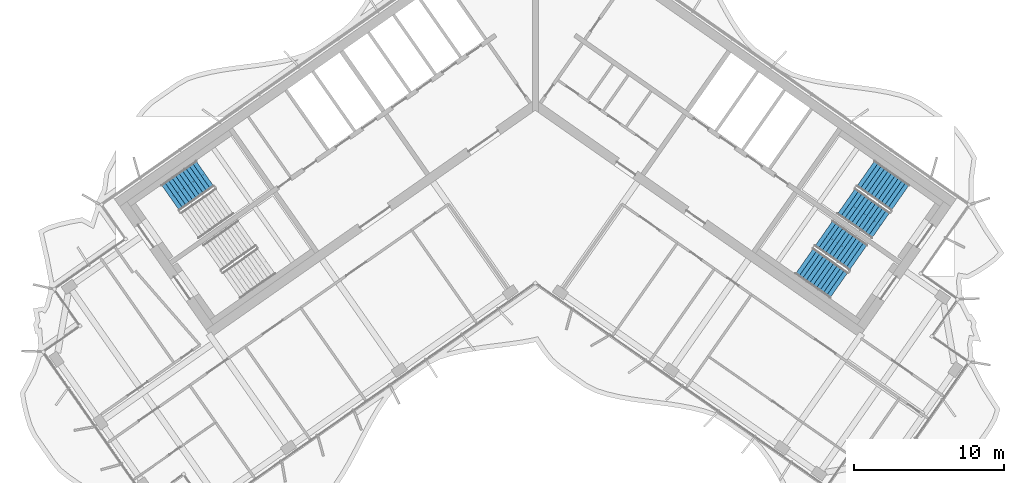
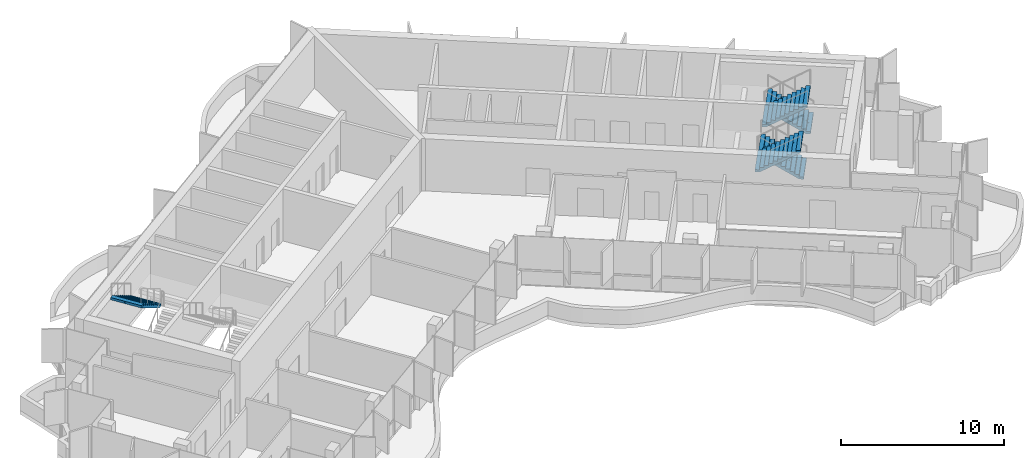
# One storey, part 12 of 17: 5 stair flights, 3 elements without a shape of their own.
"""IFC4 building model written with IfcOpenShell, lengths in metres."""

import ifcopenshell
import ifcopenshell.guid

model = None  # the IFC model being written
_history = None  # IfcOwnerHistory: only IFC2X3 demands one
_inside = {}  # id of a spatial element -> (the spatial element, [elements in it])
_under = {}  # id of a project, library or spatial element -> (it, [spatial elements below it])
_declared = {}  # id of a project -> (the project, [libraries it declares])
_typed = {}  # id of a type object -> (the type object, [elements of that type])
_made_of = {}  # id of a material, layer set ... -> (it, [elements and type objects made of it])


def new_model(schema):
    """Start an empty IFC model of exactly this schema.

    Asked for "IFC4X3", IfcOpenShell would pick the latest addendum, in which some entities
    have other attributes; the version numbers below select the first issue.
    IFC2X3 requires an IfcOwnerHistory on every rooted entity: one is made here for all.
    """
    global model, _history
    if schema == "IFC4X3":
        model = ifcopenshell.file(schema_version=(4, 3, 0, 0))
    else:
        model = ifcopenshell.file(schema=schema)
    _inside.clear()
    _under.clear()
    _declared.clear()
    _typed.clear()
    _made_of.clear()
    _history = None
    if model.schema == "IFC2X3":
        org = make("IfcOrganization", Name="unknown")
        user = make(
            "IfcPersonAndOrganization",
            ThePerson=make("IfcPerson", FamilyName="unknown"),
            TheOrganization=org,
        )
        app = make(
            "IfcApplication",
            ApplicationDeveloper=org,
            Version="unknown",
            ApplicationFullName="unknown",
            ApplicationIdentifier="unknown",
        )
        _history = make(
            "IfcOwnerHistory",
            OwningUser=user,
            OwningApplication=app,
            ChangeAction="ADDED",
            CreationDate=0,
        )
    return model


def make(cls, **values):
    """One entity of the class cls with the attributes given. An attribute that is None is left unset."""
    return model.create_entity(
        cls, **{name: value for name, value in values.items() if value is not None}
    )


def rooted(cls, **values):
    """An entity with a GlobalId (a new one), such as an element, a storey or a relation."""
    return make(cls, GlobalId=ifcopenshell.guid.new(), OwnerHistory=_history, **values)


def si_unit(unit_type, name, prefix=None):
    """IfcSIUnit, for example si_unit("LENGTHUNIT", "METRE", prefix="MILLI")."""
    return make("IfcSIUnit", UnitType=unit_type, Prefix=prefix, Name=name)


def assignment(units):
    """IfcUnitAssignment: the units of a project."""
    return None if units is None else make("IfcUnitAssignment", Units=units)


def point(xyz):
    """IfcCartesianPoint."""
    return None if xyz is None else make("IfcCartesianPoint", Coordinates=xyz)


def direction(xyz):
    """IfcDirection."""
    return None if xyz is None else make("IfcDirection", DirectionRatios=xyz)


def frame(location, z_axis=None, x_axis=None):
    """IfcAxis2Placement3D, a coordinate frame: its origin and axes. An axis left out is left unset."""
    return make(
        "IfcAxis2Placement3D",
        Location=point(location),
        Axis=direction(z_axis),
        RefDirection=direction(x_axis),
    )


def origin():
    """The frame at (0, 0, 0) with its axes left unset."""
    return frame((0.0, 0.0, 0.0))


def place(relative_to, where):
    """IfcLocalPlacement: puts the frame where relative to a parent placement (None: the world)."""
    return make(
        "IfcLocalPlacement", PlacementRelTo=relative_to, RelativePlacement=where
    )


def context(
    kind, dimensions, precision=None, world=None, true_north=None, identifier=None
):
    """IfcGeometricRepresentationContext, for example the 3D "Model" context."""
    return make(
        "IfcGeometricRepresentationContext",
        ContextIdentifier=identifier,
        ContextType=kind,
        CoordinateSpaceDimension=dimensions,
        Precision=precision,
        WorldCoordinateSystem=world,
        TrueNorth=true_north,
    )


def subcontext(parent, identifier, kind, view, scale=None):
    """IfcGeometricRepresentationSubContext, for example "Body" below "Model"."""
    return make(
        "IfcGeometricRepresentationSubContext",
        ContextIdentifier=identifier,
        ContextType=kind,
        ParentContext=parent,
        TargetScale=scale,
        TargetView=view,
    )


def project(units=None, contexts=None):
    """IfcProject with its units and contexts."""
    return rooted(
        "IfcProject",
        Name="project",
        RepresentationContexts=contexts,
        UnitsInContext=assignment(units),
    )


def spatial(cls, under=None, at=None, **own):
    """A site, building, storey or space (cls), placed at a placement, below another one or the project."""
    s = rooted(cls, ObjectPlacement=at, **own)
    if under is not None:
        _under.setdefault(under.id(), (under, []))[1].append(s)
    return s


def polyline(points):
    """IfcPolyline through the points."""
    return make("IfcPolyline", Points=[point(p) for p in points])


def outline(outer, holes=None, kind="AREA"):
    """IfcArbitraryClosedProfileDef: a profile drawn as a closed curve; with holes, ...WithVoids."""
    if holes is None:
        return make("IfcArbitraryClosedProfileDef", ProfileType=kind, OuterCurve=outer)
    return make(
        "IfcArbitraryProfileDefWithVoids",
        ProfileType=kind,
        OuterCurve=outer,
        InnerCurves=holes,
    )


def extrude(swept, where, along, depth):
    """IfcExtrudedAreaSolid: the profile swept, set in the frame where, extruded along a direction by depth."""
    return make(
        "IfcExtrudedAreaSolid",
        SweptArea=swept,
        Position=where,
        ExtrudedDirection=direction(along),
        Depth=depth,
    )


def shape(context_of_items, identifier, shape_type, items):
    """IfcShapeRepresentation: the items that make up one representation, for example the "Body"."""
    return make(
        "IfcShapeRepresentation",
        ContextOfItems=context_of_items,
        RepresentationIdentifier=identifier,
        RepresentationType=shape_type,
        Items=items,
    )


def material(Name=None, Category=None):
    """IfcMaterial."""
    return make("IfcMaterial", Name=Name, Category=Category)


def made_of(thing, what):
    """Note that an element or type object is made of a material, layer set ...; save() writes the relation."""
    if what is not None:
        _made_of.setdefault(what.id(), (what, []))[1].append(thing)
    return thing


def type_object(cls, material=None, **own):
    """A type object (cls), such as IfcWallType, which elements share."""
    return made_of(rooted(cls, **own), material)


def element(
    cls,
    number,
    at=None,
    inside=None,
    cuts=None,
    type_object=None,
    material=None,
    context=None,
    identifier="Body",
    shape_type=None,
    held_by="IfcProductDefinitionShape",
    body=None,
    shapes=None,
    **own,
):
    """One element of the class cls, such as IfcWall. Its Tag is "e" and its number.

    at: its placement. inside: the storey or other place that contains it. cuts: it is an
    opening in that element (IfcRelVoidsElement). A single representation is given by context,
    identifier, shape_type and body (its items); several are given by shapes. held_by: the class
    of the entity that holds the representations. save() writes the other relations.
    """
    e = rooted(cls, Tag="e%d" % number, ObjectPlacement=at, **own)
    if body is not None:
        shapes = [shape(context, identifier, shape_type, body)]
    if shapes is not None:
        e.Representation = make(held_by, Representations=shapes)
    if inside is not None:
        _inside.setdefault(inside.id(), (inside, []))[1].append(e)
    if cuts is not None:
        rooted(
            "IfcRelVoidsElement", RelatingBuildingElement=cuts, RelatedOpeningElement=e
        )
    if type_object is not None:
        _typed.setdefault(type_object.id(), (type_object, []))[1].append(e)
    return made_of(e, material)


def aggregate(whole, parts):
    """IfcRelAggregates: a whole, such as a stair, and the parts it consists of."""
    return rooted("IfcRelAggregates", RelatingObject=whole, RelatedObjects=parts)


def save(model, path):
    """Write the relations noted so far, then the file.

    IfcRelAggregates (storeys below a building ...), IfcRelContainedInSpatialStructure (elements
    in a storey), IfcRelDefinesByType, IfcRelAssociatesMaterial and IfcRelDeclares: one each for
    every whole, place, type object, material and project.
    """
    for whole, parts in _under.values():
        aggregate(whole, parts)
    for where, things in _inside.values():
        rooted(
            "IfcRelContainedInSpatialStructure",
            RelatedElements=things,
            RelatingStructure=where,
        )
    for kind, things in _typed.values():
        rooted("IfcRelDefinesByType", RelatedObjects=things, RelatingType=kind)
    for what, things in _made_of.values():
        rooted("IfcRelAssociatesMaterial", RelatedObjects=things, RelatingMaterial=what)
    for by, libraries in _declared.values():
        rooted("IfcRelDeclares", RelatingContext=by, RelatedDefinitions=libraries)
    model.write(path)


model = new_model("IFC4")

# Units and contexts
model_context = context("Model", 3, precision=1e-05, world=origin(), true_north=direction((0.0, 1.0)))
body_context = subcontext(model_context, "Body", "Model", "MODEL_VIEW")
ifc_project = project(units=[si_unit("LENGTHUNIT", "METRE"), si_unit("AREAUNIT", "SQUARE_METRE"), si_unit("VOLUMEUNIT", "CUBIC_METRE"), si_unit("PLANEANGLEUNIT", "RADIAN"), si_unit("MASSUNIT", "GRAM", prefix="KILO")], contexts=[model_context])

# Site, building, storey
site_placement = place(None, origin())
site = spatial("IfcSite", under=ifc_project, at=site_placement, CompositionType="ELEMENT")
building_placement = place(site_placement, origin())
building = spatial("IfcBuilding", under=site, at=building_placement, Name="Tel Ilan Convention Tower", CompositionType="ELEMENT")
storey_placement = place(building_placement, frame((0.0, 0.0, 276.10009765625)))
storey = spatial("IfcBuildingStorey", under=building, at=storey_placement, Name="L65", CompositionType="ELEMENT", Elevation=276.10009765625)

# Stair, stair flight
ifc_material_1 = material(Name="Concrete C40/50", Category="concrete")
stair_type = type_object("IfcStairType", Name="Pressurised Exit Stair 22 risers 177 mm", PredefinedType="HALF_TURN_STAIR", material=ifc_material_1)
stair_1_placement = place(storey_placement, origin())
stair_1 = element("IfcStair", 1, at=stair_1_placement, inside=storey, type_object=stair_type, Name="L65 Pressurised Stair S1", PredefinedType="HALF_TURN_STAIR")
ifc_material_2 = material(Name="Precast Concrete C40/50", Category="concrete")
stair_flight_type = type_object("IfcStairFlightType", Name="Concrete Stair Flight 2100 mm 22 risers 177 mm", PredefinedType="STRAIGHT", material=ifc_material_2)
stair_flight_1_placement = place(storey_placement, frame((-21.958740234375, -5.42626953125, 1.949951171875), z_axis=(0.0, 0.0, 1.0), x_axis=(-0.819152044289, -0.573576436351, 0.0)))
stair_flight_1 = element("IfcStairFlight", 2, at=stair_flight_1_placement, type_object=stair_flight_type, Name="S1 flight 2", NumberOfRisers=11, NumberOfTreads=10, PredefinedType="STRAIGHT", RiserHeight=0.177272727, TreadLength=0.28, context=body_context, shape_type="SweptSolid", body=[
    extrude(outline(polyline([(0.0, 0.0), (0.0, 0.17724609375), (0.280029296875, 0.17724609375), (0.280029296875, 0.3544921875), (0.56005859375, 0.3544921875), (0.56005859375, 0.53173828125), (0.840087890625, 0.53173828125), (0.840087890625, 0.708984375), (1.1201171875, 0.708984375), (1.1201171875, 0.886474609375), (1.39990234375, 0.886474609375), (1.39990234375, 1.063720703125), (1.679931640625, 1.063720703125), (1.679931640625, 1.240966796875), (1.9599609375, 1.240966796875), (1.9599609375, 1.418212890625), (2.239990234375, 1.418212890625), (2.239990234375, 1.595458984375), (2.52001953125, 1.595458984375), (2.52001953125, 1.772705078125), (2.800048828125, 1.772705078125), (2.800048828125, 1.949951171875), (2.800048828125, 1.59521484375), (0.2802734375, 0.0), (0.0, 0.0)])), frame((0.0, -0.100341796875, 0.0), z_axis=(0.0, -1.0, 0.0), x_axis=(1.0, 0.0, 0.0)), (0.0, 0.0, 1.0), 0.94970703125),
    extrude(outline(polyline([(0.0, 0.0), (0.0, 0.17724609375), (0.280029296875, 0.17724609375), (0.280029296875, 0.3544921875), (0.56005859375, 0.3544921875), (0.56005859375, 0.53173828125), (0.840087890625, 0.53173828125), (0.840087890625, 0.708984375), (1.1201171875, 0.708984375), (1.1201171875, 0.886474609375), (1.39990234375, 0.886474609375), (1.39990234375, 1.063720703125), (1.679931640625, 1.063720703125), (1.679931640625, 1.240966796875), (1.9599609375, 1.240966796875), (1.9599609375, 1.418212890625), (2.239990234375, 1.418212890625), (2.239990234375, 1.595458984375), (2.52001953125, 1.595458984375), (2.52001953125, 1.772705078125), (2.800048828125, 1.772705078125), (2.800048828125, 1.949951171875), (2.800048828125, 1.59521484375), (0.2802734375, 0.0), (0.0, 0.0)])), frame((0.0, -0.000244140625, 0.0), z_axis=(0.0, -1.0, 0.0), x_axis=(1.0, 0.0, 0.0)), (0.0, 0.0, 1.0), 0.099609375),
    extrude(outline(polyline([(0.0, 0.0), (0.0, 0.17724609375), (0.280029296875, 0.17724609375), (0.280029296875, 0.3544921875), (0.56005859375, 0.3544921875), (0.56005859375, 0.53173828125), (0.840087890625, 0.53173828125), (0.840087890625, 0.708984375), (1.1201171875, 0.708984375), (1.1201171875, 0.886474609375), (1.39990234375, 0.886474609375), (1.39990234375, 1.063720703125), (1.679931640625, 1.063720703125), (1.679931640625, 1.240966796875), (1.9599609375, 1.240966796875), (1.9599609375, 1.418212890625), (2.239990234375, 1.418212890625), (2.239990234375, 1.595458984375), (2.52001953125, 1.595458984375), (2.52001953125, 1.772705078125), (2.800048828125, 1.772705078125), (2.800048828125, 1.949951171875), (2.800048828125, 1.59521484375), (0.2802734375, 0.0), (0.0, 0.0)])), frame((0.0, 0.099853515625, 0.0), z_axis=(0.0, -1.0, 0.0), x_axis=(1.0, 0.0, 0.0)), (0.0, 0.0, 1.0), 0.099609375),
    extrude(outline(polyline([(0.0, 0.0), (0.0, 0.17724609375), (0.280029296875, 0.17724609375), (0.280029296875, 0.3544921875), (0.56005859375, 0.3544921875), (0.56005859375, 0.53173828125), (0.840087890625, 0.53173828125), (0.840087890625, 0.708984375), (1.1201171875, 0.708984375), (1.1201171875, 0.886474609375), (1.39990234375, 0.886474609375), (1.39990234375, 1.063720703125), (1.679931640625, 1.063720703125), (1.679931640625, 1.240966796875), (1.9599609375, 1.240966796875), (1.9599609375, 1.418212890625), (2.239990234375, 1.418212890625), (2.239990234375, 1.595458984375), (2.52001953125, 1.595458984375), (2.52001953125, 1.772705078125), (2.800048828125, 1.772705078125), (2.800048828125, 1.949951171875), (2.800048828125, 1.59521484375), (0.2802734375, 0.0), (0.0, 0.0)])), frame((0.0, 1.050048828125, 0.0), z_axis=(0.0, -1.0, 0.0), x_axis=(1.0, 0.0, 0.0)), (0.0, 0.0, 1.0), 0.94970703125),
])
aggregate(stair_1, [stair_flight_1])

# Stair, stair flights
stair_2_placement = place(storey_placement, origin())
stair_2 = element("IfcStair", 3, at=stair_2_placement, inside=storey, type_object=stair_type, Name="L65 Pressurised Stair S3", PredefinedType="HALF_TURN_STAIR")
stair_flight_2_placement = place(storey_placement, frame((24.25244140625, -7.032470703125, 0.0), z_axis=(0.0, 0.0, 1.0), x_axis=(-0.819152044289, 0.573576436351, 0.0)))
stair_flight_2 = element("IfcStairFlight", 4, at=stair_flight_2_placement, type_object=stair_flight_type, Name="S3 flight 1", NumberOfRisers=11, NumberOfTreads=10, PredefinedType="STRAIGHT", RiserHeight=0.177272727, TreadLength=0.28, context=body_context, shape_type="SweptSolid", body=[
    extrude(outline(polyline([(0.0, 0.0), (0.0, 0.17724609375), (0.280029296875, 0.17724609375), (0.280029296875, 0.3544921875), (0.56005859375, 0.3544921875), (0.56005859375, 0.53173828125), (0.840087890625, 0.53173828125), (0.840087890625, 0.708984375), (1.1201171875, 0.708984375), (1.1201171875, 0.886474609375), (1.39990234375, 0.886474609375), (1.39990234375, 1.063720703125), (1.679931640625, 1.063720703125), (1.679931640625, 1.240966796875), (1.9599609375, 1.240966796875), (1.9599609375, 1.418212890625), (2.239990234375, 1.418212890625), (2.239990234375, 1.595458984375), (2.52001953125, 1.595458984375), (2.52001953125, 1.772705078125), (2.800048828125, 1.772705078125), (2.800048828125, 1.949951171875), (2.800048828125, 1.59521484375), (0.2802734375, 0.0), (0.0, 0.0)])), frame((0.0, -0.100341796875, 0.0), z_axis=(0.0, -1.0, 0.0), x_axis=(1.0, 0.0, 0.0)), (0.0, 0.0, 1.0), 0.94970703125),
    extrude(outline(polyline([(0.0, 0.0), (0.0, 0.17724609375), (0.280029296875, 0.17724609375), (0.280029296875, 0.3544921875), (0.56005859375, 0.3544921875), (0.56005859375, 0.53173828125), (0.840087890625, 0.53173828125), (0.840087890625, 0.708984375), (1.1201171875, 0.708984375), (1.1201171875, 0.886474609375), (1.39990234375, 0.886474609375), (1.39990234375, 1.063720703125), (1.679931640625, 1.063720703125), (1.679931640625, 1.240966796875), (1.9599609375, 1.240966796875), (1.9599609375, 1.418212890625), (2.239990234375, 1.418212890625), (2.239990234375, 1.595458984375), (2.52001953125, 1.595458984375), (2.52001953125, 1.772705078125), (2.800048828125, 1.772705078125), (2.800048828125, 1.949951171875), (2.800048828125, 1.59521484375), (0.2802734375, 0.0), (0.0, 0.0)])), frame((0.0, -0.000244140625, 0.0), z_axis=(0.0, -1.0, 0.0), x_axis=(1.0, 0.0, 0.0)), (0.0, 0.0, 1.0), 0.099609375),
    extrude(outline(polyline([(0.0, 0.0), (0.0, 0.17724609375), (0.280029296875, 0.17724609375), (0.280029296875, 0.3544921875), (0.56005859375, 0.3544921875), (0.56005859375, 0.53173828125), (0.840087890625, 0.53173828125), (0.840087890625, 0.708984375), (1.1201171875, 0.708984375), (1.1201171875, 0.886474609375), (1.39990234375, 0.886474609375), (1.39990234375, 1.063720703125), (1.679931640625, 1.063720703125), (1.679931640625, 1.240966796875), (1.9599609375, 1.240966796875), (1.9599609375, 1.418212890625), (2.239990234375, 1.418212890625), (2.239990234375, 1.595458984375), (2.52001953125, 1.595458984375), (2.52001953125, 1.772705078125), (2.800048828125, 1.772705078125), (2.800048828125, 1.949951171875), (2.800048828125, 1.59521484375), (0.2802734375, 0.0), (0.0, 0.0)])), frame((0.0, 0.099853515625, 0.0), z_axis=(0.0, -1.0, 0.0), x_axis=(1.0, 0.0, 0.0)), (0.0, 0.0, 1.0), 0.099609375),
    extrude(outline(polyline([(0.0, 0.0), (0.0, 0.17724609375), (0.280029296875, 0.17724609375), (0.280029296875, 0.3544921875), (0.56005859375, 0.3544921875), (0.56005859375, 0.53173828125), (0.840087890625, 0.53173828125), (0.840087890625, 0.708984375), (1.1201171875, 0.708984375), (1.1201171875, 0.886474609375), (1.39990234375, 0.886474609375), (1.39990234375, 1.063720703125), (1.679931640625, 1.063720703125), (1.679931640625, 1.240966796875), (1.9599609375, 1.240966796875), (1.9599609375, 1.418212890625), (2.239990234375, 1.418212890625), (2.239990234375, 1.595458984375), (2.52001953125, 1.595458984375), (2.52001953125, 1.772705078125), (2.800048828125, 1.772705078125), (2.800048828125, 1.949951171875), (2.800048828125, 1.59521484375), (0.2802734375, 0.0), (0.0, 0.0)])), frame((0.0, 1.050048828125, 0.0), z_axis=(0.0, -1.0, 0.0), x_axis=(1.0, 0.0, 0.0)), (0.0, 0.0, 1.0), 0.94970703125),
])
stair_flight_3_placement = place(storey_placement, frame((20.668212890625, -7.26953125, 1.949951171875), z_axis=(0.0, 0.0, 1.0), x_axis=(0.819152044289, -0.573576436351, 0.0)))
stair_flight_3 = element("IfcStairFlight", 5, at=stair_flight_3_placement, type_object=stair_flight_type, Name="S3 flight 2", NumberOfRisers=11, NumberOfTreads=10, PredefinedType="STRAIGHT", RiserHeight=0.177272727, TreadLength=0.28, context=body_context, shape_type="SweptSolid", body=[
    extrude(outline(polyline([(0.0, 0.0), (0.0, 0.17724609375), (0.280029296875, 0.17724609375), (0.280029296875, 0.3544921875), (0.56005859375, 0.3544921875), (0.56005859375, 0.53173828125), (0.840087890625, 0.53173828125), (0.840087890625, 0.708984375), (1.1201171875, 0.708984375), (1.1201171875, 0.886474609375), (1.39990234375, 0.886474609375), (1.39990234375, 1.063720703125), (1.679931640625, 1.063720703125), (1.679931640625, 1.240966796875), (1.9599609375, 1.240966796875), (1.9599609375, 1.418212890625), (2.239990234375, 1.418212890625), (2.239990234375, 1.595458984375), (2.52001953125, 1.595458984375), (2.52001953125, 1.772705078125), (2.800048828125, 1.772705078125), (2.800048828125, 1.949951171875), (2.800048828125, 1.59521484375), (0.2802734375, 0.0), (0.0, 0.0)])), frame((0.0, -0.100341796875, 0.0), z_axis=(0.0, -1.0, 0.0), x_axis=(1.0, 0.0, 0.0)), (0.0, 0.0, 1.0), 0.94970703125),
    extrude(outline(polyline([(0.0, 0.0), (0.0, 0.17724609375), (0.280029296875, 0.17724609375), (0.280029296875, 0.3544921875), (0.56005859375, 0.3544921875), (0.56005859375, 0.53173828125), (0.840087890625, 0.53173828125), (0.840087890625, 0.708984375), (1.1201171875, 0.708984375), (1.1201171875, 0.886474609375), (1.39990234375, 0.886474609375), (1.39990234375, 1.063720703125), (1.679931640625, 1.063720703125), (1.679931640625, 1.240966796875), (1.9599609375, 1.240966796875), (1.9599609375, 1.418212890625), (2.239990234375, 1.418212890625), (2.239990234375, 1.595458984375), (2.52001953125, 1.595458984375), (2.52001953125, 1.772705078125), (2.800048828125, 1.772705078125), (2.800048828125, 1.949951171875), (2.800048828125, 1.59521484375), (0.2802734375, 0.0), (0.0, 0.0)])), frame((0.0, -0.000244140625, 0.0), z_axis=(0.0, -1.0, 0.0), x_axis=(1.0, 0.0, 0.0)), (0.0, 0.0, 1.0), 0.099609375),
    extrude(outline(polyline([(0.0, 0.0), (0.0, 0.17724609375), (0.280029296875, 0.17724609375), (0.280029296875, 0.3544921875), (0.56005859375, 0.3544921875), (0.56005859375, 0.53173828125), (0.840087890625, 0.53173828125), (0.840087890625, 0.708984375), (1.1201171875, 0.708984375), (1.1201171875, 0.886474609375), (1.39990234375, 0.886474609375), (1.39990234375, 1.063720703125), (1.679931640625, 1.063720703125), (1.679931640625, 1.240966796875), (1.9599609375, 1.240966796875), (1.9599609375, 1.418212890625), (2.239990234375, 1.418212890625), (2.239990234375, 1.595458984375), (2.52001953125, 1.595458984375), (2.52001953125, 1.772705078125), (2.800048828125, 1.772705078125), (2.800048828125, 1.949951171875), (2.800048828125, 1.59521484375), (0.2802734375, 0.0), (0.0, 0.0)])), frame((0.0, 0.099853515625, 0.0), z_axis=(0.0, -1.0, 0.0), x_axis=(1.0, 0.0, 0.0)), (0.0, 0.0, 1.0), 0.099609375),
    extrude(outline(polyline([(0.0, 0.0), (0.0, 0.17724609375), (0.280029296875, 0.17724609375), (0.280029296875, 0.3544921875), (0.56005859375, 0.3544921875), (0.56005859375, 0.53173828125), (0.840087890625, 0.53173828125), (0.840087890625, 0.708984375), (1.1201171875, 0.708984375), (1.1201171875, 0.886474609375), (1.39990234375, 0.886474609375), (1.39990234375, 1.063720703125), (1.679931640625, 1.063720703125), (1.679931640625, 1.240966796875), (1.9599609375, 1.240966796875), (1.9599609375, 1.418212890625), (2.239990234375, 1.418212890625), (2.239990234375, 1.595458984375), (2.52001953125, 1.595458984375), (2.52001953125, 1.772705078125), (2.800048828125, 1.772705078125), (2.800048828125, 1.949951171875), (2.800048828125, 1.59521484375), (0.2802734375, 0.0), (0.0, 0.0)])), frame((0.0, 1.050048828125, 0.0), z_axis=(0.0, -1.0, 0.0), x_axis=(1.0, 0.0, 0.0)), (0.0, 0.0, 1.0), 0.94970703125),
])
aggregate(stair_2, [stair_flight_2, stair_flight_3])

stair_3_placement = place(storey_placement, origin())
stair_3 = element("IfcStair", 6, at=stair_3_placement, inside=storey, type_object=stair_type, Name="L65 Pressurised Stair S4", PredefinedType="HALF_TURN_STAIR")
stair_flight_4_placement = place(storey_placement, frame((21.470458984375, -11.00537109375, 0.0), z_axis=(0.0, 0.0, 1.0), x_axis=(-0.819152044289, 0.573576436351, 0.0)))
stair_flight_4 = element("IfcStairFlight", 7, at=stair_flight_4_placement, type_object=stair_flight_type, Name="S4 flight 1", NumberOfRisers=11, NumberOfTreads=10, PredefinedType="STRAIGHT", RiserHeight=0.177272727, TreadLength=0.28, context=body_context, shape_type="SweptSolid", body=[
    extrude(outline(polyline([(0.0, 0.0), (0.0, 0.17724609375), (0.280029296875, 0.17724609375), (0.280029296875, 0.3544921875), (0.56005859375, 0.3544921875), (0.56005859375, 0.53173828125), (0.840087890625, 0.53173828125), (0.840087890625, 0.708984375), (1.1201171875, 0.708984375), (1.1201171875, 0.886474609375), (1.39990234375, 0.886474609375), (1.39990234375, 1.063720703125), (1.679931640625, 1.063720703125), (1.679931640625, 1.240966796875), (1.9599609375, 1.240966796875), (1.9599609375, 1.418212890625), (2.239990234375, 1.418212890625), (2.239990234375, 1.595458984375), (2.52001953125, 1.595458984375), (2.52001953125, 1.772705078125), (2.800048828125, 1.772705078125), (2.800048828125, 1.949951171875), (2.800048828125, 1.59521484375), (0.2802734375, 0.0), (0.0, 0.0)])), frame((0.0, -0.100341796875, 0.0), z_axis=(0.0, -1.0, 0.0), x_axis=(1.0, 0.0, 0.0)), (0.0, 0.0, 1.0), 0.94970703125),
    extrude(outline(polyline([(0.0, 0.0), (0.0, 0.17724609375), (0.280029296875, 0.17724609375), (0.280029296875, 0.3544921875), (0.56005859375, 0.3544921875), (0.56005859375, 0.53173828125), (0.840087890625, 0.53173828125), (0.840087890625, 0.708984375), (1.1201171875, 0.708984375), (1.1201171875, 0.886474609375), (1.39990234375, 0.886474609375), (1.39990234375, 1.063720703125), (1.679931640625, 1.063720703125), (1.679931640625, 1.240966796875), (1.9599609375, 1.240966796875), (1.9599609375, 1.418212890625), (2.239990234375, 1.418212890625), (2.239990234375, 1.595458984375), (2.52001953125, 1.595458984375), (2.52001953125, 1.772705078125), (2.800048828125, 1.772705078125), (2.800048828125, 1.949951171875), (2.800048828125, 1.59521484375), (0.2802734375, 0.0), (0.0, 0.0)])), frame((0.0, -0.000244140625, 0.0), z_axis=(0.0, -1.0, 0.0), x_axis=(1.0, 0.0, 0.0)), (0.0, 0.0, 1.0), 0.099609375),
    extrude(outline(polyline([(0.0, 0.0), (0.0, 0.17724609375), (0.280029296875, 0.17724609375), (0.280029296875, 0.3544921875), (0.56005859375, 0.3544921875), (0.56005859375, 0.53173828125), (0.840087890625, 0.53173828125), (0.840087890625, 0.708984375), (1.1201171875, 0.708984375), (1.1201171875, 0.886474609375), (1.39990234375, 0.886474609375), (1.39990234375, 1.063720703125), (1.679931640625, 1.063720703125), (1.679931640625, 1.240966796875), (1.9599609375, 1.240966796875), (1.9599609375, 1.418212890625), (2.239990234375, 1.418212890625), (2.239990234375, 1.595458984375), (2.52001953125, 1.595458984375), (2.52001953125, 1.772705078125), (2.800048828125, 1.772705078125), (2.800048828125, 1.949951171875), (2.800048828125, 1.59521484375), (0.2802734375, 0.0), (0.0, 0.0)])), frame((0.0, 0.099853515625, 0.0), z_axis=(0.0, -1.0, 0.0), x_axis=(1.0, 0.0, 0.0)), (0.0, 0.0, 1.0), 0.099609375),
    extrude(outline(polyline([(0.0, 0.0), (0.0, 0.17724609375), (0.280029296875, 0.17724609375), (0.280029296875, 0.3544921875), (0.56005859375, 0.3544921875), (0.56005859375, 0.53173828125), (0.840087890625, 0.53173828125), (0.840087890625, 0.708984375), (1.1201171875, 0.708984375), (1.1201171875, 0.886474609375), (1.39990234375, 0.886474609375), (1.39990234375, 1.063720703125), (1.679931640625, 1.063720703125), (1.679931640625, 1.240966796875), (1.9599609375, 1.240966796875), (1.9599609375, 1.418212890625), (2.239990234375, 1.418212890625), (2.239990234375, 1.595458984375), (2.52001953125, 1.595458984375), (2.52001953125, 1.772705078125), (2.800048828125, 1.772705078125), (2.800048828125, 1.949951171875), (2.800048828125, 1.59521484375), (0.2802734375, 0.0), (0.0, 0.0)])), frame((0.0, 1.050048828125, 0.0), z_axis=(0.0, -1.0, 0.0), x_axis=(1.0, 0.0, 0.0)), (0.0, 0.0, 1.0), 0.94970703125),
])
stair_flight_5_placement = place(storey_placement, frame((17.886474609375, -11.242431640625, 1.949951171875), z_axis=(0.0, 0.0, 1.0), x_axis=(0.819152044289, -0.573576436351, 0.0)))
stair_flight_5 = element("IfcStairFlight", 8, at=stair_flight_5_placement, type_object=stair_flight_type, Name="S4 flight 2", NumberOfRisers=11, NumberOfTreads=10, PredefinedType="STRAIGHT", RiserHeight=0.177272727, TreadLength=0.28, context=body_context, shape_type="SweptSolid", body=[
    extrude(outline(polyline([(0.0, 0.0), (0.0, 0.17724609375), (0.280029296875, 0.17724609375), (0.280029296875, 0.3544921875), (0.56005859375, 0.3544921875), (0.56005859375, 0.53173828125), (0.840087890625, 0.53173828125), (0.840087890625, 0.708984375), (1.1201171875, 0.708984375), (1.1201171875, 0.886474609375), (1.39990234375, 0.886474609375), (1.39990234375, 1.063720703125), (1.679931640625, 1.063720703125), (1.679931640625, 1.240966796875), (1.9599609375, 1.240966796875), (1.9599609375, 1.418212890625), (2.239990234375, 1.418212890625), (2.239990234375, 1.595458984375), (2.52001953125, 1.595458984375), (2.52001953125, 1.772705078125), (2.800048828125, 1.772705078125), (2.800048828125, 1.949951171875), (2.800048828125, 1.59521484375), (0.2802734375, 0.0), (0.0, 0.0)])), frame((0.0, -0.100341796875, 0.0), z_axis=(0.0, -1.0, 0.0), x_axis=(1.0, 0.0, 0.0)), (0.0, 0.0, 1.0), 0.94970703125),
    extrude(outline(polyline([(0.0, 0.0), (0.0, 0.17724609375), (0.280029296875, 0.17724609375), (0.280029296875, 0.3544921875), (0.56005859375, 0.3544921875), (0.56005859375, 0.53173828125), (0.840087890625, 0.53173828125), (0.840087890625, 0.708984375), (1.1201171875, 0.708984375), (1.1201171875, 0.886474609375), (1.39990234375, 0.886474609375), (1.39990234375, 1.063720703125), (1.679931640625, 1.063720703125), (1.679931640625, 1.240966796875), (1.9599609375, 1.240966796875), (1.9599609375, 1.418212890625), (2.239990234375, 1.418212890625), (2.239990234375, 1.595458984375), (2.52001953125, 1.595458984375), (2.52001953125, 1.772705078125), (2.800048828125, 1.772705078125), (2.800048828125, 1.949951171875), (2.800048828125, 1.59521484375), (0.2802734375, 0.0), (0.0, 0.0)])), frame((0.0, -0.000244140625, 0.0), z_axis=(0.0, -1.0, 0.0), x_axis=(1.0, 0.0, 0.0)), (0.0, 0.0, 1.0), 0.099609375),
    extrude(outline(polyline([(0.0, 0.0), (0.0, 0.17724609375), (0.280029296875, 0.17724609375), (0.280029296875, 0.3544921875), (0.56005859375, 0.3544921875), (0.56005859375, 0.53173828125), (0.840087890625, 0.53173828125), (0.840087890625, 0.708984375), (1.1201171875, 0.708984375), (1.1201171875, 0.886474609375), (1.39990234375, 0.886474609375), (1.39990234375, 1.063720703125), (1.679931640625, 1.063720703125), (1.679931640625, 1.240966796875), (1.9599609375, 1.240966796875), (1.9599609375, 1.418212890625), (2.239990234375, 1.418212890625), (2.239990234375, 1.595458984375), (2.52001953125, 1.595458984375), (2.52001953125, 1.772705078125), (2.800048828125, 1.772705078125), (2.800048828125, 1.949951171875), (2.800048828125, 1.59521484375), (0.2802734375, 0.0), (0.0, 0.0)])), frame((0.0, 0.099853515625, 0.0), z_axis=(0.0, -1.0, 0.0), x_axis=(1.0, 0.0, 0.0)), (0.0, 0.0, 1.0), 0.099609375),
    extrude(outline(polyline([(0.0, 0.0), (0.0, 0.17724609375), (0.280029296875, 0.17724609375), (0.280029296875, 0.3544921875), (0.56005859375, 0.3544921875), (0.56005859375, 0.53173828125), (0.840087890625, 0.53173828125), (0.840087890625, 0.708984375), (1.1201171875, 0.708984375), (1.1201171875, 0.886474609375), (1.39990234375, 0.886474609375), (1.39990234375, 1.063720703125), (1.679931640625, 1.063720703125), (1.679931640625, 1.240966796875), (1.9599609375, 1.240966796875), (1.9599609375, 1.418212890625), (2.239990234375, 1.418212890625), (2.239990234375, 1.595458984375), (2.52001953125, 1.595458984375), (2.52001953125, 1.772705078125), (2.800048828125, 1.772705078125), (2.800048828125, 1.949951171875), (2.800048828125, 1.59521484375), (0.2802734375, 0.0), (0.0, 0.0)])), frame((0.0, 1.050048828125, 0.0), z_axis=(0.0, -1.0, 0.0), x_axis=(1.0, 0.0, 0.0)), (0.0, 0.0, 1.0), 0.94970703125),
])
aggregate(stair_3, [stair_flight_4, stair_flight_5])

save(model, "model.ifc")
